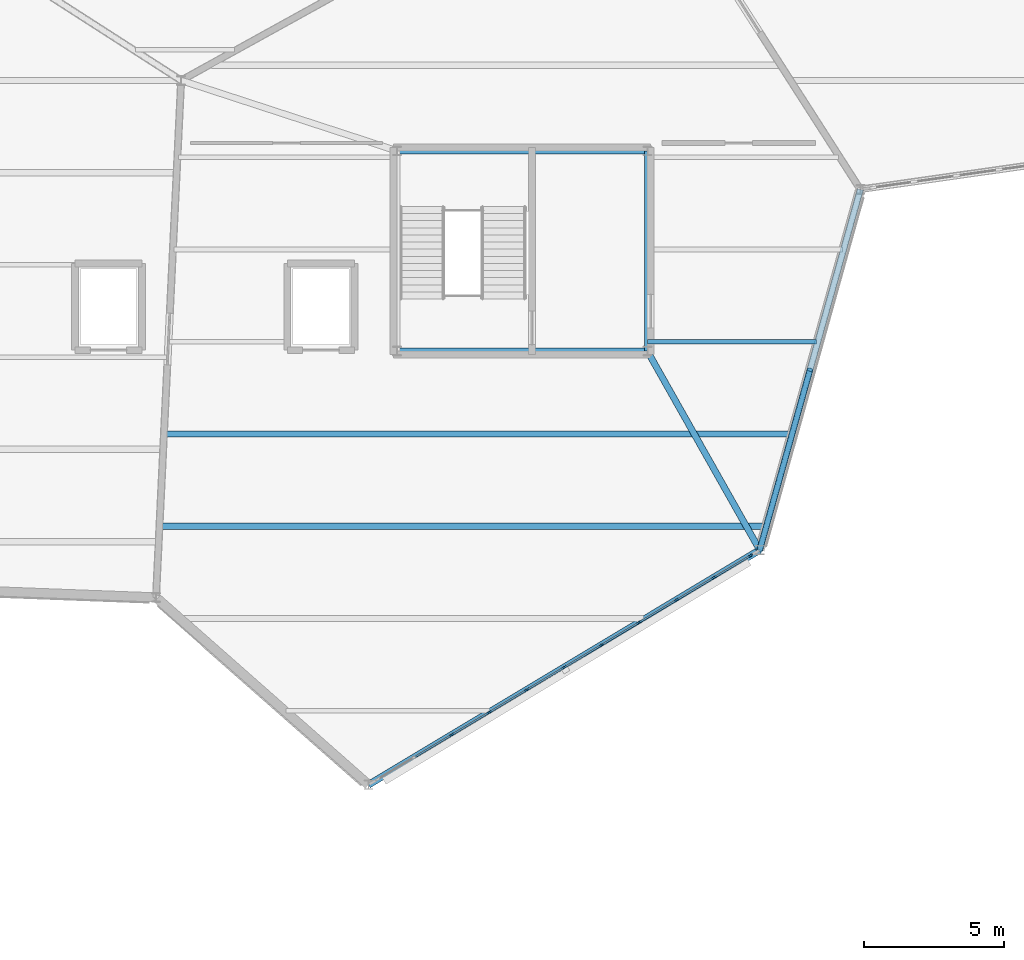
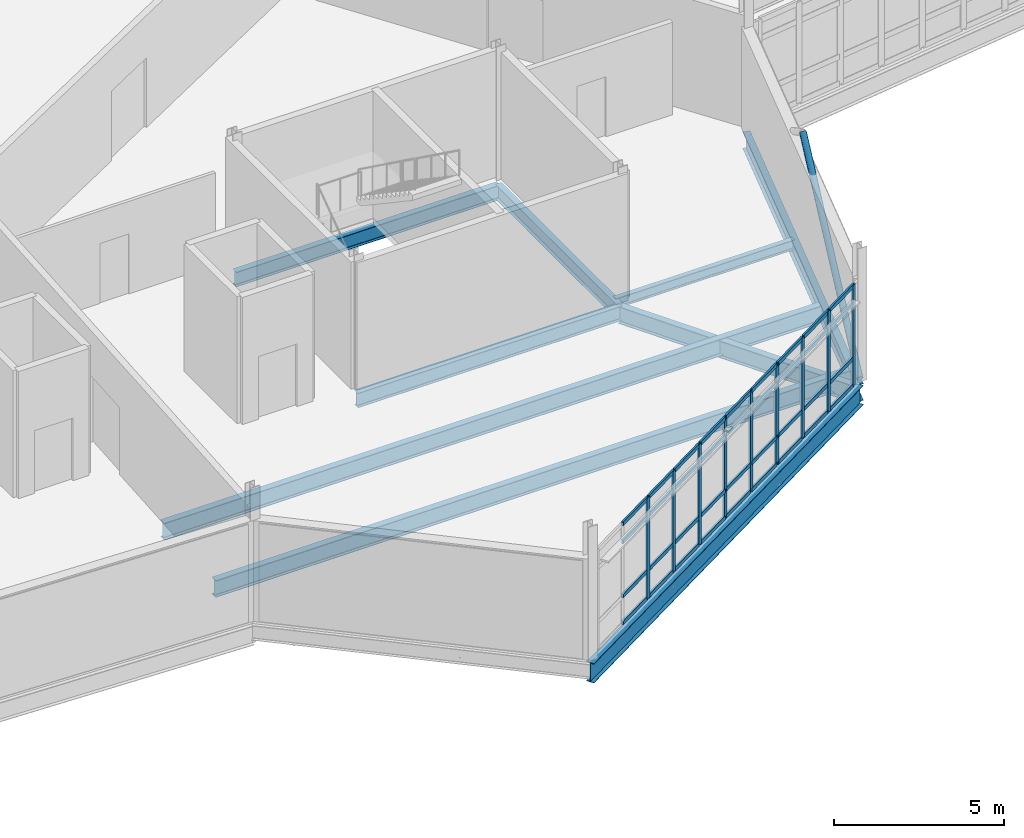
# One storey, part 62 of 114: 46 members, 9 beams, 1 element without a shape of its own.
"""IFC4 building model written with IfcOpenShell, lengths in metres."""

from ifc_helpers import new_model, si_unit, direction, frame, origin, origin_2d, place, context, subcontext, project, spatial, rectangle, hollow_circle, i_section, extrude, material, material_profile, profile_set, type_object, element, aggregate, save


model = new_model("IFC4")

# Units and contexts
model_context = context("Model", 3, precision=1e-05, world=origin(), true_north=direction((0.0, 1.0)))
body_context = subcontext(model_context, "Body", "Model", "MODEL_VIEW")
ifc_project = project(units=[si_unit("LENGTHUNIT", "METRE"), si_unit("AREAUNIT", "SQUARE_METRE"), si_unit("VOLUMEUNIT", "CUBIC_METRE"), si_unit("PLANEANGLEUNIT", "RADIAN"), si_unit("MASSUNIT", "GRAM", prefix="KILO")], contexts=[model_context])

# Site, building, storey
site_placement = place(None, origin())
site = spatial("IfcSite", under=ifc_project, at=site_placement, CompositionType="ELEMENT")
building_placement = place(site_placement, origin())
building = spatial("IfcBuilding", under=site, at=building_placement, Name="Tameran Prism Museum", CompositionType="ELEMENT")
storey_placement = place(building_placement, frame((0.0, 0.0, 10.199951171875)))
storey = spatial("IfcBuildingStorey", under=building, at=storey_placement, Name="L02", CompositionType="ELEMENT", Elevation=10.199951171875)

# Beams
ifc_material_1 = material(Name="Steel Grade 300PLUS (300 MPa)", Category="steel")
ifc_material_profile_1 = material_profile(ifc_material_1, i_section(OverallWidth=0.172119140625, OverallDepth=0.35888671875, WebThickness=0.008056640625, FlangeThickness=0.012939453125, FilletRadius=0.011474609375, at=origin_2d()))
ifc_profile_set_1 = profile_set([ifc_material_profile_1])
beam_type_1 = type_object("IfcBeamType", Name="BM-J360A", PredefinedType="JOIST", material=ifc_profile_set_1)
beam_1_placement = place(storey_placement, frame((135.47998046875, 79.75, -0.37939453125), z_axis=(1.0, 0.0, 0.0), x_axis=(0.0, 1.0, 0.0)))
element("IfcBeam", 1, at=beam_1_placement, inside=storey, type_object=beam_type_1, Name="Floor Beam BM-0824", PredefinedType="JOIST", context=body_context, shape_type="SweptSolid", body=[
    extrude(i_section(OverallWidth=0.172119140625, OverallDepth=0.35888671875, WebThickness=0.008056640625, FlangeThickness=0.012939453125, FilletRadius=0.011474609375, at=origin_2d()), origin(), (0.0, 0.0, 1.0), 6.05810546875),
])
ifc_material_2 = material(Name="Steel Grade 300PLUS (300 MPa)", Category="steel")
ifc_material_profile_2 = material_profile(ifc_material_2, i_section(OverallWidth=0.208984375, OverallDepth=0.528076171875, WebThickness=0.009521484375, FlangeThickness=0.01318359375, FilletRadius=0.013916015625, at=origin_2d()))
ifc_profile_set_2 = profile_set([ifc_material_profile_2])
beam_type_2 = type_object("IfcBeamType", Name="BM-SP530B", PredefinedType="SPANDREL", material=ifc_profile_set_2)
beam_2_placement = place(storey_placement, frame((126.52001953125, 79.419921875, -0.50390625), z_axis=(1.0, 0.0, 0.0), x_axis=(0.0, 1.0, 0.0)))
element("IfcBeam", 2, at=beam_2_placement, inside=storey, type_object=beam_type_2, Name="Core Ring Beam CTB-0761", PredefinedType="SPANDREL", context=body_context, shape_type="SweptSolid", body=[
    extrude(i_section(OverallWidth=0.208984375, OverallDepth=0.528076171875, WebThickness=0.009521484375, FlangeThickness=0.01318359375, FilletRadius=0.013916015625, at=origin_2d()), origin(), (0.0, 0.0, 1.0), 8.9599609375),
])
beam_3_placement = place(storey_placement, frame((135.47998046875, 79.419921875, -0.50390625), z_axis=(0.0, 1.0, 0.0), x_axis=(-1.0, 0.0, 0.0)))
element("IfcBeam", 3, at=beam_3_placement, inside=storey, type_object=beam_type_2, Name="Core Ring Beam CTB-0762", PredefinedType="SPANDREL", context=body_context, shape_type="SweptSolid", body=[
    extrude(i_section(OverallWidth=0.208984375, OverallDepth=0.528076171875, WebThickness=0.009521484375, FlangeThickness=0.01318359375, FilletRadius=0.013916015625, at=origin_2d()), origin(), (0.0, 0.0, 1.0), 7.16015625),
])
beam_4_placement = place(storey_placement, frame((135.47998046875, 86.580078125, -0.50390625), z_axis=(-1.0, 0.0, 0.0), x_axis=(0.0, -1.0, 0.0)))
element("IfcBeam", 4, at=beam_4_placement, inside=storey, type_object=beam_type_2, Name="Core Ring Beam CTB-0763", PredefinedType="SPANDREL", context=body_context, shape_type="SweptSolid", body=[
    extrude(i_section(OverallWidth=0.208984375, OverallDepth=0.528076171875, WebThickness=0.009521484375, FlangeThickness=0.01318359375, FilletRadius=0.013916015625, at=origin_2d()), origin(), (0.0, 0.0, 1.0), 8.9599609375),
])
ifc_material_3 = material(Name="Steel Grade 300PLUS (300 MPa)", Category="steel")
ifc_material_profile_3 = material_profile(ifc_material_3, i_section(OverallWidth=0.22802734375, OverallDepth=0.60205078125, WebThickness=0.010498046875, FlangeThickness=0.014892578125, FilletRadius=0.013916015625, at=origin_2d()))
ifc_profile_set_3 = profile_set([ifc_material_profile_3])
beam_type_3 = type_object("IfcBeamType", Name="BM-SP610", PredefinedType="SPANDREL", material=ifc_profile_set_3)
beam_5_placement = place(storey_placement, frame((139.5, 72.300048828125, -0.5009765625), z_axis=(0.268807620494, 0.96319388659, 0.0), x_axis=(-0.96319388659, 0.268807620494, 0.0)))
element("IfcBeam", 5, at=beam_5_placement, inside=storey, type_object=beam_type_3, Name="Perimeter Spandrel SP-0661", PredefinedType="SPANDREL", context=body_context, shape_type="SweptSolid", body=[
    extrude(i_section(OverallWidth=0.22802734375, OverallDepth=0.60205078125, WebThickness=0.010498046875, FlangeThickness=0.014892578125, FilletRadius=0.013916015625, at=origin_2d()), origin(), (0.0, 0.0, 1.0), 13.392822265625),
])
ifc_material_4 = material(Name="Steel Grade 350 (350 MPa)", Category="steel")
ifc_material_profile_4 = material_profile(ifc_material_4, i_section(OverallWidth=0.25, OverallDepth=0.699951171875, WebThickness=0.010009765625, FlangeThickness=0.02001953125, at=origin_2d()))
ifc_profile_set_4 = profile_set([ifc_material_profile_4])
beam_type_4 = type_object("IfcBeamType", Name="BM-SP700", PredefinedType="SPANDREL", material=ifc_profile_set_4)
beam_6_placement = place(storey_placement, frame((125.5, 63.89990234375, -0.550048828125), z_axis=(0.857488967429, 0.51450235251, 0.0), x_axis=(-0.51450235251, 0.857488967429, 0.0)))
element("IfcBeam", 6, at=beam_6_placement, inside=storey, type_object=beam_type_4, Name="Perimeter Spandrel SP-0660", PredefinedType="SPANDREL", context=body_context, shape_type="SweptSolid", body=[
    extrude(i_section(OverallWidth=0.25, OverallDepth=0.699951171875, WebThickness=0.010009765625, FlangeThickness=0.02001953125, at=origin_2d()), origin(), (0.0, 0.0, 1.0), 16.32666015625),
])
ifc_material_5 = material(Name="Steel Grade 300PLUS (300 MPa)", Category="steel")
ifc_material_profile_5 = material_profile(ifc_material_5, i_section(OverallWidth=0.22900390625, OverallDepth=0.612060546875, WebThickness=0.011962890625, FlangeThickness=0.01953125, FilletRadius=0.013916015625, at=origin_2d()))
ifc_profile_set_5 = profile_set([ifc_material_profile_5])
beam_type_5 = type_object("IfcBeamType", Name="BM-UB610A", PredefinedType="BEAM", material=ifc_profile_set_5)
beam_7_placement = place(storey_placement, frame((135.47998046875, 79.419921875, -0.56005859375), z_axis=(0.491662661717, -0.870785752682, 0.0), x_axis=(0.870785752682, 0.491662661717, 0.0)))
element("IfcBeam", 7, at=beam_7_placement, inside=storey, type_object=beam_type_5, Name="Frame Tie Girder FG-1389", PredefinedType="BEAM", context=body_context, shape_type="SweptSolid", body=[
    extrude(i_section(OverallWidth=0.22900390625, OverallDepth=0.612060546875, WebThickness=0.011962890625, FlangeThickness=0.01953125, FilletRadius=0.013916015625, at=origin_2d()), origin(), (0.0, 0.0, 1.0), 8.17626953125),
])
ifc_material_6 = material(Name="Steel Grade 300PLUS (300 MPa)", Category="steel")
ifc_material_profile_6 = material_profile(ifc_material_6, i_section(OverallWidth=0.22802734375, OverallDepth=0.60693359375, WebThickness=0.01123046875, FlangeThickness=0.017333984375, FilletRadius=0.013916015625, at=origin_2d()))
ifc_profile_set_6 = profile_set([ifc_material_profile_6])
beam_type_6 = type_object("IfcBeamType", Name="BM-UB610B", PredefinedType="BEAM", material=ifc_profile_set_6)
beam_8_placement = place(storey_placement, frame((118.06396484375, 73.14990234375, -0.50341796875), z_axis=(1.0, 0.0, 0.0), x_axis=(0.0, 1.0, 0.0)))
element("IfcBeam", 8, at=beam_8_placement, inside=storey, type_object=beam_type_6, Name="Floor Beam BM-0821", PredefinedType="BEAM", context=body_context, shape_type="SweptSolid", body=[
    extrude(i_section(OverallWidth=0.22802734375, OverallDepth=0.60693359375, WebThickness=0.01123046875, FlangeThickness=0.017333984375, FilletRadius=0.013916015625, at=origin_2d()), origin(), (0.0, 0.0, 1.0), 21.632080078125),
])
beam_9_placement = place(storey_placement, frame((118.22509765625, 76.449951171875, -0.50341796875), z_axis=(1.0, 0.0, 0.0), x_axis=(0.0, 1.0, 0.0)))
element("IfcBeam", 9, at=beam_9_placement, inside=storey, type_object=beam_type_6, Name="Floor Beam BM-0822", PredefinedType="BEAM", context=body_context, shape_type="SweptSolid", body=[
    extrude(i_section(OverallWidth=0.22802734375, OverallDepth=0.60693359375, WebThickness=0.01123046875, FlangeThickness=0.017333984375, FilletRadius=0.013916015625, at=origin_2d()), origin(), (0.0, 0.0, 1.0), 22.391845703125),
])

# Curtain wall, members
ifc_material_7 = material(Name="Anodised Aluminium 6063-T6 and Cyclone Solar Glass", Category="aluminium")
curtain_wall_type = type_object("IfcCurtainWallType", Name="CW-FAC-1563x362", PredefinedType="USERDEFINED", material=ifc_material_7)
curtain_wall_placement = place(storey_placement, origin())
curtain_wall = element("IfcCurtainWall", 10, at=curtain_wall_placement, inside=storey, type_object=curtain_wall_type, Name="Unitised Curtain Wall CW-099", ObjectType="UNITISED CURTAIN WALL", PredefinedType="USERDEFINED")
ifc_material_8 = material(Name="Anodised Aluminium Alloy 6063-T6", Category="aluminium")
ifc_material_profile_7 = material_profile(ifc_material_8, rectangle(XDim=0.06494140625, YDim=0.159912109375, at=origin_2d()))
ifc_profile_set_7 = profile_set([ifc_material_profile_7])
member_type_1 = type_object("IfcMemberType", Name="CW-MUL-A", PredefinedType="MULLION", material=ifc_profile_set_7)
member_1_placement = place(storey_placement, frame((139.172119140625, 72.103271484375, 0.0), z_axis=(0.0, 0.0, 1.0), x_axis=(0.514495755426, -0.857492925713, 0.0)))
member_1 = element("IfcMember", 11, at=member_1_placement, type_object=member_type_1, Name="CW-099 mullion 1", PredefinedType="MULLION", context=body_context, shape_type="SweptSolid", body=[
    extrude(rectangle(XDim=0.06494140625, YDim=0.159912109375, at=origin_2d()), origin(), (0.0, 0.0, 1.0), 3.6201171875),
])
member_2_placement = place(storey_placement, frame((137.860107421875, 71.31591796875, 0.0), z_axis=(0.0, 0.0, 1.0), x_axis=(0.514495755426, -0.857492925713, 0.0)))
member_2 = element("IfcMember", 12, at=member_2_placement, type_object=member_type_1, Name="CW-099 mullion 2", PredefinedType="MULLION", context=body_context, shape_type="SweptSolid", body=[
    extrude(rectangle(XDim=0.06494140625, YDim=0.159912109375, at=origin_2d()), origin(), (0.0, 0.0, 1.0), 3.6201171875),
])
member_3_placement = place(storey_placement, frame((136.52001953125, 70.511962890625, 0.0), z_axis=(0.0, 0.0, 1.0), x_axis=(0.514495755426, -0.857492925713, 0.0)))
member_3 = element("IfcMember", 13, at=member_3_placement, type_object=member_type_1, Name="CW-099 mullion 3", PredefinedType="MULLION", context=body_context, shape_type="SweptSolid", body=[
    extrude(rectangle(XDim=0.06494140625, YDim=0.159912109375, at=origin_2d()), origin(), (0.0, 0.0, 1.0), 3.6201171875),
])
member_4_placement = place(storey_placement, frame((135.179931640625, 69.7080078125, 0.0), z_axis=(0.0, 0.0, 1.0), x_axis=(0.514495755426, -0.857492925713, 0.0)))
member_4 = element("IfcMember", 14, at=member_4_placement, type_object=member_type_1, Name="CW-099 mullion 4", PredefinedType="MULLION", context=body_context, shape_type="SweptSolid", body=[
    extrude(rectangle(XDim=0.06494140625, YDim=0.159912109375, at=origin_2d()), origin(), (0.0, 0.0, 1.0), 3.6201171875),
])
member_5_placement = place(storey_placement, frame((133.840087890625, 68.904052734375, 0.0), z_axis=(0.0, 0.0, 1.0), x_axis=(0.514495755426, -0.857492925713, 0.0)))
member_5 = element("IfcMember", 15, at=member_5_placement, type_object=member_type_1, Name="CW-099 mullion 5", PredefinedType="MULLION", context=body_context, shape_type="SweptSolid", body=[
    extrude(rectangle(XDim=0.06494140625, YDim=0.159912109375, at=origin_2d()), origin(), (0.0, 0.0, 1.0), 3.6201171875),
])
member_6_placement = place(storey_placement, frame((132.5, 68.10009765625, 0.0), z_axis=(0.0, 0.0, 1.0), x_axis=(0.514495755426, -0.857492925713, 0.0)))
member_6 = element("IfcMember", 16, at=member_6_placement, type_object=member_type_1, Name="CW-099 mullion 6", PredefinedType="MULLION", context=body_context, shape_type="SweptSolid", body=[
    extrude(rectangle(XDim=0.06494140625, YDim=0.159912109375, at=origin_2d()), origin(), (0.0, 0.0, 1.0), 3.6201171875),
])
member_7_placement = place(storey_placement, frame((131.159912109375, 67.2958984375, 0.0), z_axis=(0.0, 0.0, 1.0), x_axis=(0.514495755426, -0.857492925713, 0.0)))
member_7 = element("IfcMember", 17, at=member_7_placement, type_object=member_type_1, Name="CW-099 mullion 7", PredefinedType="MULLION", context=body_context, shape_type="SweptSolid", body=[
    extrude(rectangle(XDim=0.06494140625, YDim=0.159912109375, at=origin_2d()), origin(), (0.0, 0.0, 1.0), 3.6201171875),
])
member_8_placement = place(storey_placement, frame((129.820068359375, 66.491943359375, 0.0), z_axis=(0.0, 0.0, 1.0), x_axis=(0.514495755426, -0.857492925713, 0.0)))
member_8 = element("IfcMember", 18, at=member_8_placement, type_object=member_type_1, Name="CW-099 mullion 8", PredefinedType="MULLION", context=body_context, shape_type="SweptSolid", body=[
    extrude(rectangle(XDim=0.06494140625, YDim=0.159912109375, at=origin_2d()), origin(), (0.0, 0.0, 1.0), 3.6201171875),
])
member_9_placement = place(storey_placement, frame((128.47998046875, 65.68798828125, 0.0), z_axis=(0.0, 0.0, 1.0), x_axis=(0.514495755426, -0.857492925713, 0.0)))
member_9 = element("IfcMember", 19, at=member_9_placement, type_object=member_type_1, Name="CW-099 mullion 9", PredefinedType="MULLION", context=body_context, shape_type="SweptSolid", body=[
    extrude(rectangle(XDim=0.06494140625, YDim=0.159912109375, at=origin_2d()), origin(), (0.0, 0.0, 1.0), 3.6201171875),
])
ifc_material_9 = material(Name="Anodised Aluminium Alloy 6063-T6", Category="aluminium")
ifc_material_profile_8 = material_profile(ifc_material_9, rectangle(XDim=0.06494140625, YDim=0.139892578125, at=origin_2d()))
ifc_profile_set_8 = profile_set([ifc_material_profile_8])
member_type_2 = type_object("IfcMemberType", Name="CW-TRN-A", PredefinedType="USERDEFINED", material=ifc_profile_set_8)
member_10_placement = place(storey_placement, frame((139.144287109375, 72.086669921875, 0.032470703125), z_axis=(-0.857463519514, -0.514544762584, 0.0), x_axis=(0.514544762584, -0.857463519514, 0.0)))
member_10 = element("IfcMember", 20, at=member_10_placement, type_object=member_type_2, Name="CW-099 transom 1.1", ObjectType="TRANSOM", PredefinedType="USERDEFINED", context=body_context, shape_type="SweptSolid", body=[
    extrude(rectangle(XDim=0.06494140625, YDim=0.139892578125, at=origin_2d()), origin(), (0.0, 0.0, 1.0), 1.465087890625),
])
member_11_placement = place(storey_placement, frame((139.144287109375, 72.086669921875, 1.0), z_axis=(-0.857463519514, -0.514544762584, 0.0), x_axis=(0.514544762584, -0.857463519514, 0.0)))
member_11 = element("IfcMember", 21, at=member_11_placement, type_object=member_type_2, Name="CW-099 transom 1.2", ObjectType="TRANSOM", PredefinedType="USERDEFINED", context=body_context, shape_type="SweptSolid", body=[
    extrude(rectangle(XDim=0.06494140625, YDim=0.139892578125, at=origin_2d()), origin(), (0.0, 0.0, 1.0), 1.465087890625),
])
member_12_placement = place(storey_placement, frame((139.144287109375, 72.086669921875, 2.93994140625), z_axis=(-0.857463519514, -0.514544762584, 0.0), x_axis=(0.514544762584, -0.857463519514, 0.0)))
member_12 = element("IfcMember", 22, at=member_12_placement, type_object=member_type_2, Name="CW-099 transom 1.3", ObjectType="TRANSOM", PredefinedType="USERDEFINED", context=body_context, shape_type="SweptSolid", body=[
    extrude(rectangle(XDim=0.06494140625, YDim=0.139892578125, at=origin_2d()), origin(), (0.0, 0.0, 1.0), 1.465087890625),
])
member_13_placement = place(storey_placement, frame((139.144287109375, 72.086669921875, 3.587646484375), z_axis=(-0.857463519514, -0.514544762584, 0.0), x_axis=(0.514544762584, -0.857463519514, 0.0)))
member_13 = element("IfcMember", 23, at=member_13_placement, type_object=member_type_2, Name="CW-099 transom 1.4", ObjectType="TRANSOM", PredefinedType="USERDEFINED", context=body_context, shape_type="SweptSolid", body=[
    extrude(rectangle(XDim=0.06494140625, YDim=0.139892578125, at=origin_2d()), origin(), (0.0, 0.0, 1.0), 1.465087890625),
])
member_14_placement = place(storey_placement, frame((137.83203125, 71.29931640625, 0.032470703125), z_axis=(-0.857492925713, -0.514495755428, 0.0), x_axis=(0.514495755428, -0.857492925713, 0.0)))
member_14 = element("IfcMember", 24, at=member_14_placement, type_object=member_type_2, Name="CW-099 transom 2.1", ObjectType="TRANSOM", PredefinedType="USERDEFINED", context=body_context, shape_type="SweptSolid", body=[
    extrude(rectangle(XDim=0.06494140625, YDim=0.139892578125, at=origin_2d()), origin(), (0.0, 0.0, 1.0), 1.49755859375),
])
member_15_placement = place(storey_placement, frame((137.83203125, 71.29931640625, 1.0), z_axis=(-0.857492925713, -0.514495755428, 0.0), x_axis=(0.514495755428, -0.857492925713, 0.0)))
member_15 = element("IfcMember", 25, at=member_15_placement, type_object=member_type_2, Name="CW-099 transom 2.2", ObjectType="TRANSOM", PredefinedType="USERDEFINED", context=body_context, shape_type="SweptSolid", body=[
    extrude(rectangle(XDim=0.06494140625, YDim=0.139892578125, at=origin_2d()), origin(), (0.0, 0.0, 1.0), 1.49755859375),
])
member_16_placement = place(storey_placement, frame((137.83203125, 71.29931640625, 2.93994140625), z_axis=(-0.857492925713, -0.514495755428, 0.0), x_axis=(0.514495755428, -0.857492925713, 0.0)))
member_16 = element("IfcMember", 26, at=member_16_placement, type_object=member_type_2, Name="CW-099 transom 2.3", ObjectType="TRANSOM", PredefinedType="USERDEFINED", context=body_context, shape_type="SweptSolid", body=[
    extrude(rectangle(XDim=0.06494140625, YDim=0.139892578125, at=origin_2d()), origin(), (0.0, 0.0, 1.0), 1.49755859375),
])
member_17_placement = place(storey_placement, frame((137.83203125, 71.29931640625, 3.587646484375), z_axis=(-0.857492925713, -0.514495755428, 0.0), x_axis=(0.514495755428, -0.857492925713, 0.0)))
member_17 = element("IfcMember", 27, at=member_17_placement, type_object=member_type_2, Name="CW-099 transom 2.4", ObjectType="TRANSOM", PredefinedType="USERDEFINED", context=body_context, shape_type="SweptSolid", body=[
    extrude(rectangle(XDim=0.06494140625, YDim=0.139892578125, at=origin_2d()), origin(), (0.0, 0.0, 1.0), 1.49755859375),
])
member_18_placement = place(storey_placement, frame((136.4921875, 70.495361328125, 0.032470703125), z_axis=(-0.857464162311, -0.514543691393, 0.0), x_axis=(0.514543691393, -0.857464162311, 0.0)))
member_18 = element("IfcMember", 28, at=member_18_placement, type_object=member_type_2, Name="CW-099 transom 3.1", ObjectType="TRANSOM", PredefinedType="USERDEFINED", context=body_context, shape_type="SweptSolid", body=[
    extrude(rectangle(XDim=0.06494140625, YDim=0.139892578125, at=origin_2d()), origin(), (0.0, 0.0, 1.0), 1.498046875),
])
member_19_placement = place(storey_placement, frame((136.4921875, 70.495361328125, 1.0), z_axis=(-0.857464162311, -0.514543691393, 0.0), x_axis=(0.514543691393, -0.857464162311, 0.0)))
member_19 = element("IfcMember", 29, at=member_19_placement, type_object=member_type_2, Name="CW-099 transom 3.2", ObjectType="TRANSOM", PredefinedType="USERDEFINED", context=body_context, shape_type="SweptSolid", body=[
    extrude(rectangle(XDim=0.06494140625, YDim=0.139892578125, at=origin_2d()), origin(), (0.0, 0.0, 1.0), 1.498046875),
])
member_20_placement = place(storey_placement, frame((136.4921875, 70.495361328125, 2.93994140625), z_axis=(-0.857464162311, -0.514543691393, 0.0), x_axis=(0.514543691393, -0.857464162311, 0.0)))
member_20 = element("IfcMember", 30, at=member_20_placement, type_object=member_type_2, Name="CW-099 transom 3.3", ObjectType="TRANSOM", PredefinedType="USERDEFINED", context=body_context, shape_type="SweptSolid", body=[
    extrude(rectangle(XDim=0.06494140625, YDim=0.139892578125, at=origin_2d()), origin(), (0.0, 0.0, 1.0), 1.498046875),
])
member_21_placement = place(storey_placement, frame((136.4921875, 70.495361328125, 3.587646484375), z_axis=(-0.857464162311, -0.514543691393, 0.0), x_axis=(0.514543691393, -0.857464162311, 0.0)))
member_21 = element("IfcMember", 31, at=member_21_placement, type_object=member_type_2, Name="CW-099 transom 3.4", ObjectType="TRANSOM", PredefinedType="USERDEFINED", context=body_context, shape_type="SweptSolid", body=[
    extrude(rectangle(XDim=0.06494140625, YDim=0.139892578125, at=origin_2d()), origin(), (0.0, 0.0, 1.0), 1.498046875),
])
member_22_placement = place(storey_placement, frame((135.152099609375, 69.691162109375, 0.032470703125), z_axis=(-0.857492925713, -0.514495755428, 0.0), x_axis=(0.514495755428, -0.857492925713, 0.0)))
member_22 = element("IfcMember", 32, at=member_22_placement, type_object=member_type_2, Name="CW-099 transom 4.1", ObjectType="TRANSOM", PredefinedType="USERDEFINED", context=body_context, shape_type="SweptSolid", body=[
    extrude(rectangle(XDim=0.06494140625, YDim=0.139892578125, at=origin_2d()), origin(), (0.0, 0.0, 1.0), 1.49755859375),
])
member_23_placement = place(storey_placement, frame((135.152099609375, 69.691162109375, 1.0), z_axis=(-0.857492925713, -0.514495755428, 0.0), x_axis=(0.514495755428, -0.857492925713, 0.0)))
member_23 = element("IfcMember", 33, at=member_23_placement, type_object=member_type_2, Name="CW-099 transom 4.2", ObjectType="TRANSOM", PredefinedType="USERDEFINED", context=body_context, shape_type="SweptSolid", body=[
    extrude(rectangle(XDim=0.06494140625, YDim=0.139892578125, at=origin_2d()), origin(), (0.0, 0.0, 1.0), 1.49755859375),
])
member_24_placement = place(storey_placement, frame((135.152099609375, 69.691162109375, 2.93994140625), z_axis=(-0.857492925713, -0.514495755428, 0.0), x_axis=(0.514495755428, -0.857492925713, 0.0)))
member_24 = element("IfcMember", 34, at=member_24_placement, type_object=member_type_2, Name="CW-099 transom 4.3", ObjectType="TRANSOM", PredefinedType="USERDEFINED", context=body_context, shape_type="SweptSolid", body=[
    extrude(rectangle(XDim=0.06494140625, YDim=0.139892578125, at=origin_2d()), origin(), (0.0, 0.0, 1.0), 1.49755859375),
])
member_25_placement = place(storey_placement, frame((135.152099609375, 69.691162109375, 3.587646484375), z_axis=(-0.857492925713, -0.514495755428, 0.0), x_axis=(0.514495755428, -0.857492925713, 0.0)))
member_25 = element("IfcMember", 35, at=member_25_placement, type_object=member_type_2, Name="CW-099 transom 4.4", ObjectType="TRANSOM", PredefinedType="USERDEFINED", context=body_context, shape_type="SweptSolid", body=[
    extrude(rectangle(XDim=0.06494140625, YDim=0.139892578125, at=origin_2d()), origin(), (0.0, 0.0, 1.0), 1.49755859375),
])
member_26_placement = place(storey_placement, frame((133.81201171875, 68.88720703125, 0.032470703125), z_axis=(-0.857492925713, -0.514495755428, 0.0), x_axis=(0.514495755428, -0.857492925713, 0.0)))
member_26 = element("IfcMember", 36, at=member_26_placement, type_object=member_type_2, Name="CW-099 transom 5.1", ObjectType="TRANSOM", PredefinedType="USERDEFINED", context=body_context, shape_type="SweptSolid", body=[
    extrude(rectangle(XDim=0.06494140625, YDim=0.139892578125, at=origin_2d()), origin(), (0.0, 0.0, 1.0), 1.49755859375),
])
member_27_placement = place(storey_placement, frame((133.81201171875, 68.88720703125, 1.0), z_axis=(-0.857492925713, -0.514495755428, 0.0), x_axis=(0.514495755428, -0.857492925713, 0.0)))
member_27 = element("IfcMember", 37, at=member_27_placement, type_object=member_type_2, Name="CW-099 transom 5.2", ObjectType="TRANSOM", PredefinedType="USERDEFINED", context=body_context, shape_type="SweptSolid", body=[
    extrude(rectangle(XDim=0.06494140625, YDim=0.139892578125, at=origin_2d()), origin(), (0.0, 0.0, 1.0), 1.49755859375),
])
member_28_placement = place(storey_placement, frame((133.81201171875, 68.88720703125, 2.93994140625), z_axis=(-0.857492925713, -0.514495755428, 0.0), x_axis=(0.514495755428, -0.857492925713, 0.0)))
member_28 = element("IfcMember", 38, at=member_28_placement, type_object=member_type_2, Name="CW-099 transom 5.3", ObjectType="TRANSOM", PredefinedType="USERDEFINED", context=body_context, shape_type="SweptSolid", body=[
    extrude(rectangle(XDim=0.06494140625, YDim=0.139892578125, at=origin_2d()), origin(), (0.0, 0.0, 1.0), 1.49755859375),
])
member_29_placement = place(storey_placement, frame((133.81201171875, 68.88720703125, 3.587646484375), z_axis=(-0.857492925713, -0.514495755428, 0.0), x_axis=(0.514495755428, -0.857492925713, 0.0)))
member_29 = element("IfcMember", 39, at=member_29_placement, type_object=member_type_2, Name="CW-099 transom 5.4", ObjectType="TRANSOM", PredefinedType="USERDEFINED", context=body_context, shape_type="SweptSolid", body=[
    extrude(rectangle(XDim=0.06494140625, YDim=0.139892578125, at=origin_2d()), origin(), (0.0, 0.0, 1.0), 1.49755859375),
])
member_30_placement = place(storey_placement, frame((132.47216796875, 68.083251953125, 0.032470703125), z_axis=(-0.857492925713, -0.514495755428, 0.0), x_axis=(0.514495755428, -0.857492925713, 0.0)))
member_30 = element("IfcMember", 40, at=member_30_placement, type_object=member_type_2, Name="CW-099 transom 6.1", ObjectType="TRANSOM", PredefinedType="USERDEFINED", context=body_context, shape_type="SweptSolid", body=[
    extrude(rectangle(XDim=0.06494140625, YDim=0.139892578125, at=origin_2d()), origin(), (0.0, 0.0, 1.0), 1.49755859375),
])
member_31_placement = place(storey_placement, frame((132.47216796875, 68.083251953125, 1.0), z_axis=(-0.857492925713, -0.514495755428, 0.0), x_axis=(0.514495755428, -0.857492925713, 0.0)))
member_31 = element("IfcMember", 41, at=member_31_placement, type_object=member_type_2, Name="CW-099 transom 6.2", ObjectType="TRANSOM", PredefinedType="USERDEFINED", context=body_context, shape_type="SweptSolid", body=[
    extrude(rectangle(XDim=0.06494140625, YDim=0.139892578125, at=origin_2d()), origin(), (0.0, 0.0, 1.0), 1.49755859375),
])
member_32_placement = place(storey_placement, frame((132.47216796875, 68.083251953125, 2.93994140625), z_axis=(-0.857492925713, -0.514495755428, 0.0), x_axis=(0.514495755428, -0.857492925713, 0.0)))
member_32 = element("IfcMember", 42, at=member_32_placement, type_object=member_type_2, Name="CW-099 transom 6.3", ObjectType="TRANSOM", PredefinedType="USERDEFINED", context=body_context, shape_type="SweptSolid", body=[
    extrude(rectangle(XDim=0.06494140625, YDim=0.139892578125, at=origin_2d()), origin(), (0.0, 0.0, 1.0), 1.49755859375),
])
member_33_placement = place(storey_placement, frame((132.47216796875, 68.083251953125, 3.587646484375), z_axis=(-0.857492925713, -0.514495755428, 0.0), x_axis=(0.514495755428, -0.857492925713, 0.0)))
member_33 = element("IfcMember", 43, at=member_33_placement, type_object=member_type_2, Name="CW-099 transom 6.4", ObjectType="TRANSOM", PredefinedType="USERDEFINED", context=body_context, shape_type="SweptSolid", body=[
    extrude(rectangle(XDim=0.06494140625, YDim=0.139892578125, at=origin_2d()), origin(), (0.0, 0.0, 1.0), 1.49755859375),
])
member_34_placement = place(storey_placement, frame((131.132080078125, 67.279296875, 0.032470703125), z_axis=(-0.857492925713, -0.514495755428, 0.0), x_axis=(0.514495755428, -0.857492925713, 0.0)))
member_34 = element("IfcMember", 44, at=member_34_placement, type_object=member_type_2, Name="CW-099 transom 7.1", ObjectType="TRANSOM", PredefinedType="USERDEFINED", context=body_context, shape_type="SweptSolid", body=[
    extrude(rectangle(XDim=0.06494140625, YDim=0.139892578125, at=origin_2d()), origin(), (0.0, 0.0, 1.0), 1.49755859375),
])
member_35_placement = place(storey_placement, frame((131.132080078125, 67.279296875, 1.0), z_axis=(-0.857492925713, -0.514495755428, 0.0), x_axis=(0.514495755428, -0.857492925713, 0.0)))
member_35 = element("IfcMember", 45, at=member_35_placement, type_object=member_type_2, Name="CW-099 transom 7.2", ObjectType="TRANSOM", PredefinedType="USERDEFINED", context=body_context, shape_type="SweptSolid", body=[
    extrude(rectangle(XDim=0.06494140625, YDim=0.139892578125, at=origin_2d()), origin(), (0.0, 0.0, 1.0), 1.49755859375),
])
member_36_placement = place(storey_placement, frame((131.132080078125, 67.279296875, 2.93994140625), z_axis=(-0.857492925713, -0.514495755428, 0.0), x_axis=(0.514495755428, -0.857492925713, 0.0)))
member_36 = element("IfcMember", 46, at=member_36_placement, type_object=member_type_2, Name="CW-099 transom 7.3", ObjectType="TRANSOM", PredefinedType="USERDEFINED", context=body_context, shape_type="SweptSolid", body=[
    extrude(rectangle(XDim=0.06494140625, YDim=0.139892578125, at=origin_2d()), origin(), (0.0, 0.0, 1.0), 1.49755859375),
])
member_37_placement = place(storey_placement, frame((131.132080078125, 67.279296875, 3.587646484375), z_axis=(-0.857492925713, -0.514495755428, 0.0), x_axis=(0.514495755428, -0.857492925713, 0.0)))
member_37 = element("IfcMember", 47, at=member_37_placement, type_object=member_type_2, Name="CW-099 transom 7.4", ObjectType="TRANSOM", PredefinedType="USERDEFINED", context=body_context, shape_type="SweptSolid", body=[
    extrude(rectangle(XDim=0.06494140625, YDim=0.139892578125, at=origin_2d()), origin(), (0.0, 0.0, 1.0), 1.49755859375),
])
member_38_placement = place(storey_placement, frame((129.792236328125, 66.475341796875, 0.032470703125), z_axis=(-0.857536069407, -0.514423842435, 0.0), x_axis=(0.514423842435, -0.857536069407, 0.0)))
member_38 = element("IfcMember", 48, at=member_38_placement, type_object=member_type_2, Name="CW-099 transom 8.1", ObjectType="TRANSOM", PredefinedType="USERDEFINED", context=body_context, shape_type="SweptSolid", body=[
    extrude(rectangle(XDim=0.06494140625, YDim=0.139892578125, at=origin_2d()), origin(), (0.0, 0.0, 1.0), 1.497802734375),
])
member_39_placement = place(storey_placement, frame((129.792236328125, 66.475341796875, 1.0), z_axis=(-0.857536069407, -0.514423842435, 0.0), x_axis=(0.514423842435, -0.857536069407, 0.0)))
member_39 = element("IfcMember", 49, at=member_39_placement, type_object=member_type_2, Name="CW-099 transom 8.2", ObjectType="TRANSOM", PredefinedType="USERDEFINED", context=body_context, shape_type="SweptSolid", body=[
    extrude(rectangle(XDim=0.06494140625, YDim=0.139892578125, at=origin_2d()), origin(), (0.0, 0.0, 1.0), 1.497802734375),
])
member_40_placement = place(storey_placement, frame((129.792236328125, 66.475341796875, 2.93994140625), z_axis=(-0.857536069407, -0.514423842435, 0.0), x_axis=(0.514423842435, -0.857536069407, 0.0)))
member_40 = element("IfcMember", 50, at=member_40_placement, type_object=member_type_2, Name="CW-099 transom 8.3", ObjectType="TRANSOM", PredefinedType="USERDEFINED", context=body_context, shape_type="SweptSolid", body=[
    extrude(rectangle(XDim=0.06494140625, YDim=0.139892578125, at=origin_2d()), origin(), (0.0, 0.0, 1.0), 1.497802734375),
])
member_41_placement = place(storey_placement, frame((129.792236328125, 66.475341796875, 3.587646484375), z_axis=(-0.857536069407, -0.514423842435, 0.0), x_axis=(0.514423842435, -0.857536069407, 0.0)))
member_41 = element("IfcMember", 51, at=member_41_placement, type_object=member_type_2, Name="CW-099 transom 8.4", ObjectType="TRANSOM", PredefinedType="USERDEFINED", context=body_context, shape_type="SweptSolid", body=[
    extrude(rectangle(XDim=0.06494140625, YDim=0.139892578125, at=origin_2d()), origin(), (0.0, 0.0, 1.0), 1.497802734375),
])
member_42_placement = place(storey_placement, frame((128.4521484375, 65.67138671875, 0.032470703125), z_axis=(-0.857421002132, -0.514615609074, 0.0), x_axis=(0.514615609074, -0.857421002132, 0.0)))
member_42 = element("IfcMember", 52, at=member_42_placement, type_object=member_type_2, Name="CW-099 transom 9.1", ObjectType="TRANSOM", PredefinedType="USERDEFINED", context=body_context, shape_type="SweptSolid", body=[
    extrude(rectangle(XDim=0.06494140625, YDim=0.139892578125, at=origin_2d()), origin(), (0.0, 0.0, 1.0), 1.497802734375),
])
member_43_placement = place(storey_placement, frame((128.4521484375, 65.67138671875, 1.0), z_axis=(-0.857421002132, -0.514615609074, 0.0), x_axis=(0.514615609074, -0.857421002132, 0.0)))
member_43 = element("IfcMember", 53, at=member_43_placement, type_object=member_type_2, Name="CW-099 transom 9.2", ObjectType="TRANSOM", PredefinedType="USERDEFINED", context=body_context, shape_type="SweptSolid", body=[
    extrude(rectangle(XDim=0.06494140625, YDim=0.139892578125, at=origin_2d()), origin(), (0.0, 0.0, 1.0), 1.497802734375),
])
member_44_placement = place(storey_placement, frame((128.4521484375, 65.67138671875, 2.93994140625), z_axis=(-0.857421002132, -0.514615609074, 0.0), x_axis=(0.514615609074, -0.857421002132, 0.0)))
member_44 = element("IfcMember", 54, at=member_44_placement, type_object=member_type_2, Name="CW-099 transom 9.3", ObjectType="TRANSOM", PredefinedType="USERDEFINED", context=body_context, shape_type="SweptSolid", body=[
    extrude(rectangle(XDim=0.06494140625, YDim=0.139892578125, at=origin_2d()), origin(), (0.0, 0.0, 1.0), 1.497802734375),
])
member_45_placement = place(storey_placement, frame((128.4521484375, 65.67138671875, 3.587646484375), z_axis=(-0.857421002132, -0.514615609074, 0.0), x_axis=(0.514615609074, -0.857421002132, 0.0)))
member_45 = element("IfcMember", 55, at=member_45_placement, type_object=member_type_2, Name="CW-099 transom 9.4", ObjectType="TRANSOM", PredefinedType="USERDEFINED", context=body_context, shape_type="SweptSolid", body=[
    extrude(rectangle(XDim=0.06494140625, YDim=0.139892578125, at=origin_2d()), origin(), (0.0, 0.0, 1.0), 1.497802734375),
])
aggregate(curtain_wall, [member_1, member_2, member_3, member_4, member_5, member_6, member_7, member_8, member_9, member_10, member_11, member_12, member_13, member_14, member_15, member_16, member_17, member_18, member_19, member_20, member_21, member_22, member_23, member_24, member_25, member_26, member_27, member_28, member_29, member_30, member_31, member_32, member_33, member_34, member_35, member_36, member_37, member_38, member_39, member_40, member_41, member_42, member_43, member_44, member_45])

# Member
ifc_material_10 = material(Name="Steel Grade C350L0 (350 MPa)", Category="steel")
ifc_material_profile_9 = material_profile(ifc_material_10, hollow_circle(Radius=0.109619140625, WallThickness=0.00830078125, at=origin_2d()))
ifc_profile_set_9 = profile_set([ifc_material_profile_9])
member_type_3 = type_object("IfcMemberType", Name="MM-BR-CHS219", PredefinedType="BRACE", material=ifc_profile_set_9)
member_46_placement = place(storey_placement, frame((139.5, 72.300048828125, 0.0), z_axis=(0.226188795144, 0.810481727779, 0.540331377848), x_axis=(-0.96319388659, 0.268807620494, 0.0)))
element("IfcMember", 56, at=member_46_placement, inside=storey, type_object=member_type_3, Name="Lateral Chevron Brace CBF-027", PredefinedType="BRACE", context=body_context, shape_type="SweptSolid", body=[
    extrude(hollow_circle(Radius=0.109619140625, WallThickness=0.00830078125, at=origin_2d()), origin(), (0.0, 0.0, 1.0), 7.958251953125),
])

save(model, "model.ifc")
